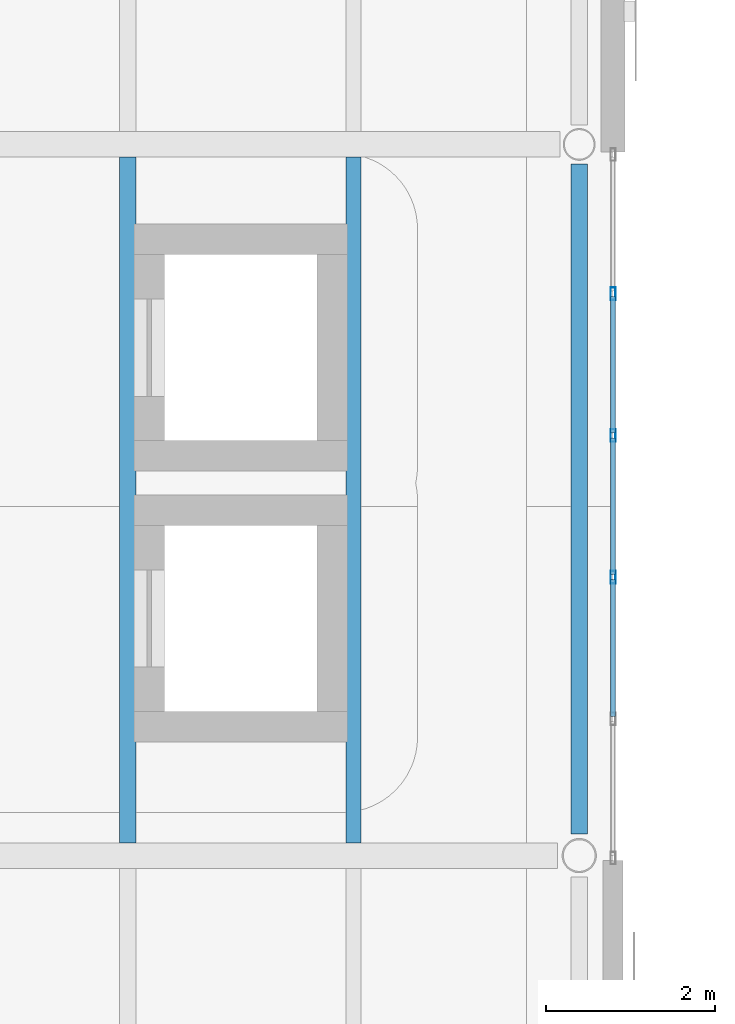
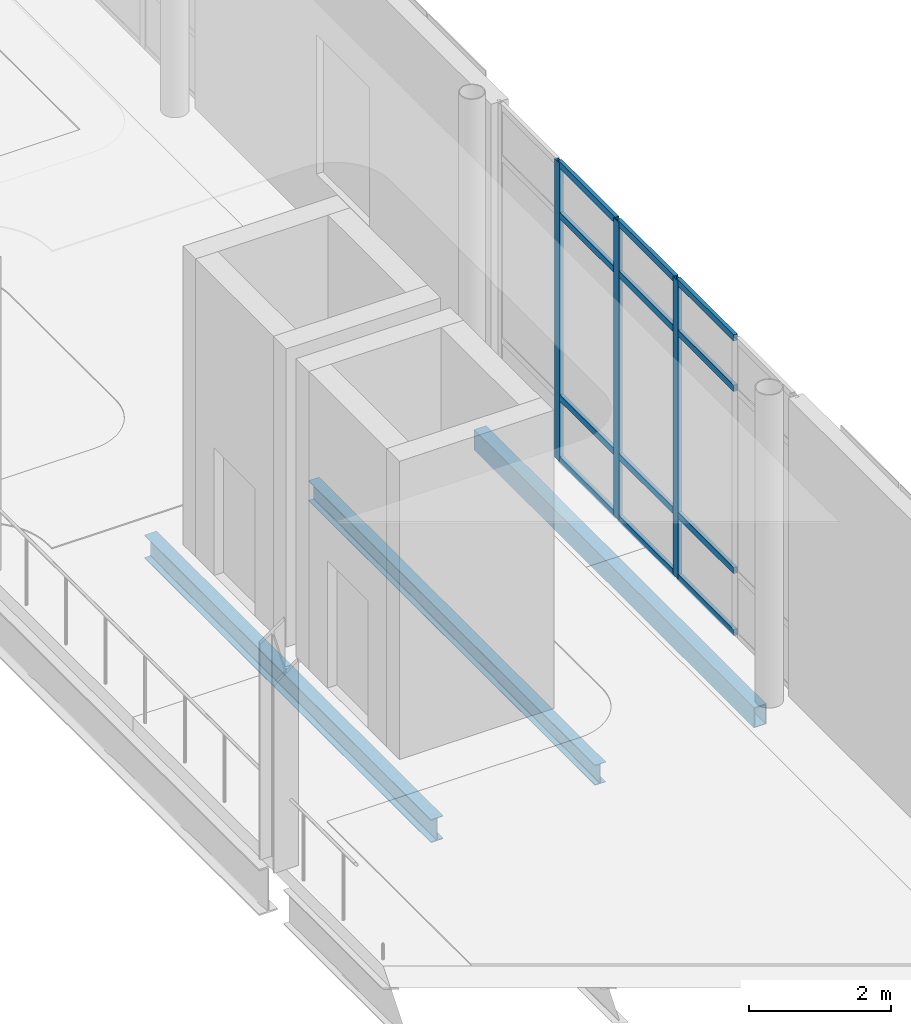
# One storey, part 39 of 110: 15 members, 3 beams, 1 element without a shape of its own.
"""IFC4 building model written with IfcOpenShell, lengths in metres."""

from ifc_helpers import new_model, si_unit, direction, frame, origin, origin_2d, place, context, subcontext, project, spatial, hollow_rectangle, i_section, extrude, material, layer, layer_set, material_profile, profile_set, type_object, element, aggregate, save


model = new_model("IFC4")

# Units and contexts
model_context = context("Model", 3, precision=1e-05, world=origin(), true_north=direction((0.0, 1.0)))
body_context = subcontext(model_context, "Body", "Model", "MODEL_VIEW")
ifc_project = project(units=[si_unit("LENGTHUNIT", "METRE"), si_unit("AREAUNIT", "SQUARE_METRE"), si_unit("VOLUMEUNIT", "CUBIC_METRE"), si_unit("PLANEANGLEUNIT", "RADIAN"), si_unit("MASSUNIT", "GRAM", prefix="KILO"), si_unit("THERMODYNAMICTEMPERATUREUNIT", "KELVIN")], contexts=[model_context])

# Site, building, storey
site_placement = place(None, origin())
site = spatial("IfcSite", under=ifc_project, at=site_placement, CompositionType="ELEMENT")
building_placement = place(site_placement, origin())
building = spatial("IfcBuilding", under=site, at=building_placement, Name="Lustrewick Department Store", CompositionType="ELEMENT")
storey_placement = place(building_placement, frame((0.0, 0.0, 6.0)))
storey = spatial("IfcBuildingStorey", under=building, at=storey_placement, Name="L02", CompositionType="ELEMENT", Elevation=6.0)

# Beams
ifc_material_1 = material(Name="Structural steel Q355B", Category="steel")
ifc_material_profile_1 = material_profile(ifc_material_1, i_section(OverallWidth=0.199951171875, OverallDepth=0.39990234375, WebThickness=0.008056640625, FlangeThickness=0.012939453125, FilletRadius=0.013916015625, at=origin_2d()), Name="HN 400x200x8x13")
ifc_profile_set_1 = profile_set([ifc_material_profile_1], Name="Structural steel Q355B")
beam_type_1 = type_object("IfcBeamType", Name="B05", PredefinedType="JOIST", material=ifc_profile_set_1)
beam_1_placement = place(storey_placement, frame((145.466796875, 25.35009765625, -0.455078125), z_axis=(0.0, 1.0, 0.0), x_axis=(-1.0, 0.0, 0.0)))
element("IfcBeam", 1, at=beam_1_placement, inside=storey, type_object=beam_type_1, Name="L02 V3 Secondary Joist B05", PredefinedType="JOIST", context=body_context, shape_type="SweptSolid", body=[
    extrude(i_section(OverallWidth=0.199951171875, OverallDepth=0.39990234375, WebThickness=0.008056640625, FlangeThickness=0.012939453125, FilletRadius=0.013916015625, at=origin_2d()), origin(), (0.0, 0.0, 1.0), 8.099853515625),
])
ifc_material_profile_2 = material_profile(ifc_material_1, i_section(OverallWidth=0.175048828125, OverallDepth=0.35009765625, WebThickness=0.007080078125, FlangeThickness=0.010986328125, FilletRadius=0.012939453125, at=origin_2d()), Name="HN 350x175x7x11")
ifc_profile_set_2 = profile_set([ifc_material_profile_2], Name="Structural steel Q355B")
beam_type_2 = type_object("IfcBeamType", Name="B09", PredefinedType="JOIST", material=ifc_profile_set_2)
beam_2_placement = place(storey_placement, frame((148.13330078125, 25.35009765625, -0.429931640625), z_axis=(0.0, 1.0, 0.0), x_axis=(-1.0, 0.0, 0.0)))
element("IfcBeam", 2, at=beam_2_placement, inside=storey, type_object=beam_type_2, Name="L02 V3 Secondary Joist B09", PredefinedType="JOIST", context=body_context, shape_type="SweptSolid", body=[
    extrude(i_section(OverallWidth=0.175048828125, OverallDepth=0.35009765625, WebThickness=0.007080078125, FlangeThickness=0.010986328125, FilletRadius=0.012939453125, at=origin_2d()), origin(), (0.0, 0.0, 1.0), 8.099853515625),
])

# Curtain wall, members
ifc_material_2 = material(Name="Thermally broken aluminium 6063-T5", Category="aluminium")
ifc_layer = layer(ifc_material_2, 0.14990234375, Name="Thermally broken aluminium 6063-T5")
ifc_layer_set = layer_set([ifc_layer], Name="Thermally broken aluminium 6063-T5")
curtain_wall_type = type_object("IfcCurtainWallType", Name="CW05", PredefinedType="NOTDEFINED", material=ifc_layer_set)
curtain_wall_placement = place(storey_placement, origin())
curtain_wall = element("IfcCurtainWall", 3, at=curtain_wall_placement, inside=storey, type_object=curtain_wall_type, Name="L02 V3 Curtain Wall CW05", PredefinedType="NOTDEFINED")
ifc_material_profile_3 = material_profile(ifc_material_2, hollow_rectangle(XDim=0.06005859375, YDim=0.14990234375, WallThickness=0.00341796875, at=origin_2d()), Name="ALU-M 60x150x3.5")
ifc_profile_set_3 = profile_set([ifc_material_profile_3], Name="Thermally broken aluminium 6063-T5")
member_type_1 = type_object("IfcMemberType", Name="CW05-M1", PredefinedType="MULLION", material=ifc_profile_set_3)
member_1_placement = place(storey_placement, frame((151.199951171875, 28.488037109375, 0.0), z_axis=(0.0, 0.0, 1.0), x_axis=(-1.0, 0.0, 0.0)))
member_1 = element("IfcMember", 4, at=member_1_placement, type_object=member_type_1, Name="CW05 mullion 3", PredefinedType="MULLION", context=body_context, shape_type="SweptSolid", body=[
    extrude(hollow_rectangle(XDim=0.06005859375, YDim=0.14990234375, WallThickness=0.00341796875, at=origin_2d()), origin(), (0.0, 0.0, 1.0), 5.14501953125),
])
member_2_placement = place(storey_placement, frame((151.199951171875, 30.162109375, 0.0), z_axis=(0.0, 0.0, 1.0), x_axis=(-1.0, 0.0, 0.0)))
member_2 = element("IfcMember", 5, at=member_2_placement, type_object=member_type_1, Name="CW05 mullion 4", PredefinedType="MULLION", context=body_context, shape_type="SweptSolid", body=[
    extrude(hollow_rectangle(XDim=0.06005859375, YDim=0.14990234375, WallThickness=0.00341796875, at=origin_2d()), origin(), (0.0, 0.0, 1.0), 5.14501953125),
])
member_3_placement = place(storey_placement, frame((151.199951171875, 31.8359375, 0.0), z_axis=(0.0, 0.0, 1.0), x_axis=(-1.0, 0.0, 0.0)))
member_3 = element("IfcMember", 6, at=member_3_placement, type_object=member_type_1, Name="CW05 mullion 5", PredefinedType="MULLION", context=body_context, shape_type="SweptSolid", body=[
    extrude(hollow_rectangle(XDim=0.06005859375, YDim=0.14990234375, WallThickness=0.00341796875, at=origin_2d()), origin(), (0.0, 0.0, 1.0), 5.14501953125),
])
ifc_material_profile_4 = material_profile(ifc_material_2, hollow_rectangle(XDim=0.06005859375, YDim=0.110107421875, WallThickness=0.0029296875, at=origin_2d()), Name="ALU-T 60x110x3")
ifc_profile_set_4 = profile_set([ifc_material_profile_4], Name="Thermally broken aluminium 6063-T5")
member_type_2 = type_object("IfcMemberType", Name="CW05-T1", PredefinedType="USERDEFINED", material=ifc_profile_set_4)
member_4_placement = place(storey_placement, frame((151.199951171875, 26.843994140625, 0.030029296875), z_axis=(0.0, 1.0, 0.0), x_axis=(-1.0, 0.0, 0.0)))
member_4 = element("IfcMember", 7, at=member_4_placement, type_object=member_type_2, Name="CW05 transom 2.1", ObjectType="TRANSOM", PredefinedType="USERDEFINED", context=body_context, shape_type="SweptSolid", body=[
    extrude(hollow_rectangle(XDim=0.06005859375, YDim=0.110107421875, WallThickness=0.0029296875, at=origin_2d()), origin(), (0.0, 0.0, 1.0), 1.614013671875),
])
member_5_placement = place(storey_placement, frame((151.199951171875, 26.843994140625, 1.10009765625), z_axis=(0.0, 1.0, 0.0), x_axis=(-1.0, 0.0, 0.0)))
member_5 = element("IfcMember", 8, at=member_5_placement, type_object=member_type_2, Name="CW05 transom 2.2", ObjectType="TRANSOM", PredefinedType="USERDEFINED", context=body_context, shape_type="SweptSolid", body=[
    extrude(hollow_rectangle(XDim=0.06005859375, YDim=0.110107421875, WallThickness=0.0029296875, at=origin_2d()), origin(), (0.0, 0.0, 1.0), 1.614013671875),
])
member_6_placement = place(storey_placement, frame((151.199951171875, 26.843994140625, 4.2451171875), z_axis=(0.0, 1.0, 0.0), x_axis=(-1.0, 0.0, 0.0)))
member_6 = element("IfcMember", 9, at=member_6_placement, type_object=member_type_2, Name="CW05 transom 2.3", ObjectType="TRANSOM", PredefinedType="USERDEFINED", context=body_context, shape_type="SweptSolid", body=[
    extrude(hollow_rectangle(XDim=0.06005859375, YDim=0.110107421875, WallThickness=0.0029296875, at=origin_2d()), origin(), (0.0, 0.0, 1.0), 1.614013671875),
])
member_7_placement = place(storey_placement, frame((151.199951171875, 26.843994140625, 5.114990234375), z_axis=(0.0, 1.0, 0.0), x_axis=(-1.0, 0.0, 0.0)))
member_7 = element("IfcMember", 10, at=member_7_placement, type_object=member_type_2, Name="CW05 transom 2.4", ObjectType="TRANSOM", PredefinedType="USERDEFINED", context=body_context, shape_type="SweptSolid", body=[
    extrude(hollow_rectangle(XDim=0.06005859375, YDim=0.110107421875, WallThickness=0.0029296875, at=origin_2d()), origin(), (0.0, 0.0, 1.0), 1.614013671875),
])
member_8_placement = place(storey_placement, frame((151.199951171875, 28.51806640625, 0.030029296875), z_axis=(0.0, 1.0, 0.0), x_axis=(-1.0, 0.0, 0.0)))
member_8 = element("IfcMember", 11, at=member_8_placement, type_object=member_type_2, Name="CW05 transom 3.1", ObjectType="TRANSOM", PredefinedType="USERDEFINED", context=body_context, shape_type="SweptSolid", body=[
    extrude(hollow_rectangle(XDim=0.06005859375, YDim=0.110107421875, WallThickness=0.0029296875, at=origin_2d()), origin(), (0.0, 0.0, 1.0), 1.614013671875),
])
member_9_placement = place(storey_placement, frame((151.199951171875, 28.51806640625, 1.10009765625), z_axis=(0.0, 1.0, 0.0), x_axis=(-1.0, 0.0, 0.0)))
member_9 = element("IfcMember", 12, at=member_9_placement, type_object=member_type_2, Name="CW05 transom 3.2", ObjectType="TRANSOM", PredefinedType="USERDEFINED", context=body_context, shape_type="SweptSolid", body=[
    extrude(hollow_rectangle(XDim=0.06005859375, YDim=0.110107421875, WallThickness=0.0029296875, at=origin_2d()), origin(), (0.0, 0.0, 1.0), 1.614013671875),
])
member_10_placement = place(storey_placement, frame((151.199951171875, 28.51806640625, 4.2451171875), z_axis=(0.0, 1.0, 0.0), x_axis=(-1.0, 0.0, 0.0)))
member_10 = element("IfcMember", 13, at=member_10_placement, type_object=member_type_2, Name="CW05 transom 3.3", ObjectType="TRANSOM", PredefinedType="USERDEFINED", context=body_context, shape_type="SweptSolid", body=[
    extrude(hollow_rectangle(XDim=0.06005859375, YDim=0.110107421875, WallThickness=0.0029296875, at=origin_2d()), origin(), (0.0, 0.0, 1.0), 1.614013671875),
])
member_11_placement = place(storey_placement, frame((151.199951171875, 28.51806640625, 5.114990234375), z_axis=(0.0, 1.0, 0.0), x_axis=(-1.0, 0.0, 0.0)))
member_11 = element("IfcMember", 14, at=member_11_placement, type_object=member_type_2, Name="CW05 transom 3.4", ObjectType="TRANSOM", PredefinedType="USERDEFINED", context=body_context, shape_type="SweptSolid", body=[
    extrude(hollow_rectangle(XDim=0.06005859375, YDim=0.110107421875, WallThickness=0.0029296875, at=origin_2d()), origin(), (0.0, 0.0, 1.0), 1.614013671875),
])
member_12_placement = place(storey_placement, frame((151.199951171875, 30.19189453125, 0.030029296875), z_axis=(0.0, 1.0, 0.0), x_axis=(-1.0, 0.0, 0.0)))
member_12 = element("IfcMember", 15, at=member_12_placement, type_object=member_type_2, Name="CW05 transom 4.1", ObjectType="TRANSOM", PredefinedType="USERDEFINED", context=body_context, shape_type="SweptSolid", body=[
    extrude(hollow_rectangle(XDim=0.06005859375, YDim=0.110107421875, WallThickness=0.0029296875, at=origin_2d()), origin(), (0.0, 0.0, 1.0), 1.614013671875),
])
member_13_placement = place(storey_placement, frame((151.199951171875, 30.19189453125, 1.10009765625), z_axis=(0.0, 1.0, 0.0), x_axis=(-1.0, 0.0, 0.0)))
member_13 = element("IfcMember", 16, at=member_13_placement, type_object=member_type_2, Name="CW05 transom 4.2", ObjectType="TRANSOM", PredefinedType="USERDEFINED", context=body_context, shape_type="SweptSolid", body=[
    extrude(hollow_rectangle(XDim=0.06005859375, YDim=0.110107421875, WallThickness=0.0029296875, at=origin_2d()), origin(), (0.0, 0.0, 1.0), 1.614013671875),
])
member_14_placement = place(storey_placement, frame((151.199951171875, 30.19189453125, 4.2451171875), z_axis=(0.0, 1.0, 0.0), x_axis=(-1.0, 0.0, 0.0)))
member_14 = element("IfcMember", 17, at=member_14_placement, type_object=member_type_2, Name="CW05 transom 4.3", ObjectType="TRANSOM", PredefinedType="USERDEFINED", context=body_context, shape_type="SweptSolid", body=[
    extrude(hollow_rectangle(XDim=0.06005859375, YDim=0.110107421875, WallThickness=0.0029296875, at=origin_2d()), origin(), (0.0, 0.0, 1.0), 1.614013671875),
])
member_15_placement = place(storey_placement, frame((151.199951171875, 30.19189453125, 5.114990234375), z_axis=(0.0, 1.0, 0.0), x_axis=(-1.0, 0.0, 0.0)))
member_15 = element("IfcMember", 18, at=member_15_placement, type_object=member_type_2, Name="CW05 transom 4.4", ObjectType="TRANSOM", PredefinedType="USERDEFINED", context=body_context, shape_type="SweptSolid", body=[
    extrude(hollow_rectangle(XDim=0.06005859375, YDim=0.110107421875, WallThickness=0.0029296875, at=origin_2d()), origin(), (0.0, 0.0, 1.0), 1.614013671875),
])
aggregate(curtain_wall, [member_1, member_2, member_3, member_4, member_5, member_6, member_7, member_8, member_9, member_10, member_11, member_12, member_13, member_14, member_15])

# Beam
ifc_material_3 = material(Name="Structural steel Q355C", Category="steel")
ifc_material_profile_5 = material_profile(ifc_material_3, hollow_rectangle(XDim=0.199951171875, YDim=0.35009765625, WallThickness=0.011962890625, at=origin_2d()), Name="RHS 350x200x12")
ifc_profile_set_5 = profile_set([ifc_material_profile_5], Name="Structural steel Q355C")
beam_type_3 = type_object("IfcBeamType", Name="SP03", PredefinedType="SPANDREL", material=ifc_profile_set_5)
beam_3_placement = place(storey_placement, frame((150.800048828125, 25.4541015625, -0.429931640625), z_axis=(0.0, 1.0, 0.0), x_axis=(-1.0, 0.0, 0.0)))
element("IfcBeam", 19, at=beam_3_placement, inside=storey, type_object=beam_type_3, Name="L02 V3 Girder SP03", PredefinedType="SPANDREL", context=body_context, shape_type="SweptSolid", body=[
    extrude(hollow_rectangle(XDim=0.199951171875, YDim=0.35009765625, WallThickness=0.011962890625, at=origin_2d()), origin(), (0.0, 0.0, 1.0), 7.91748046875),
])

save(model, "model.ifc")
